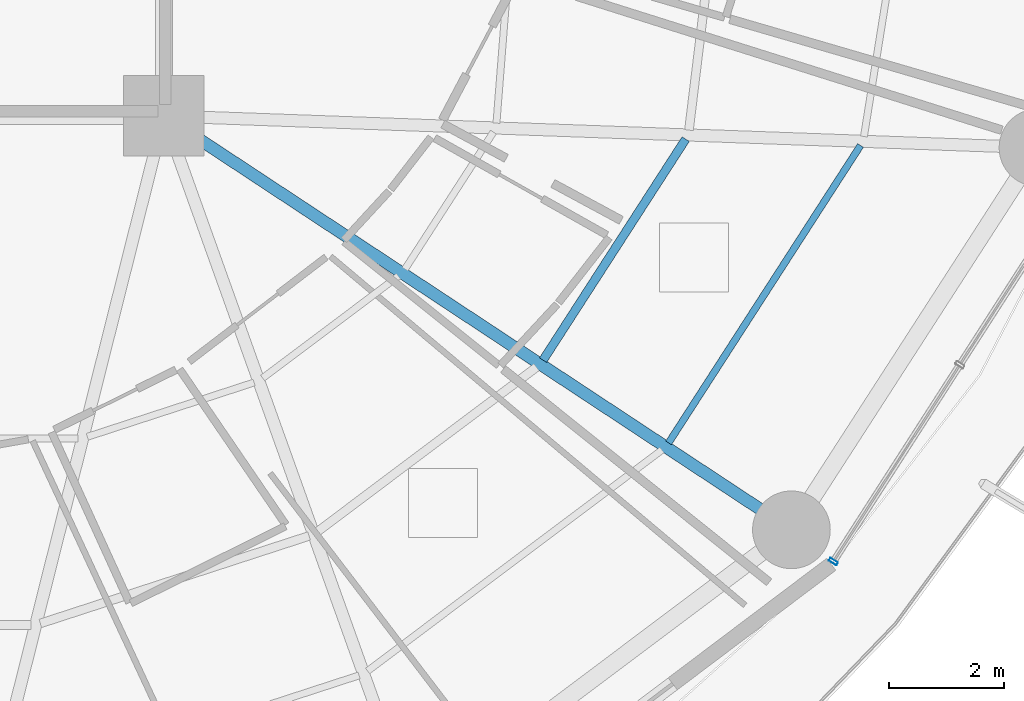
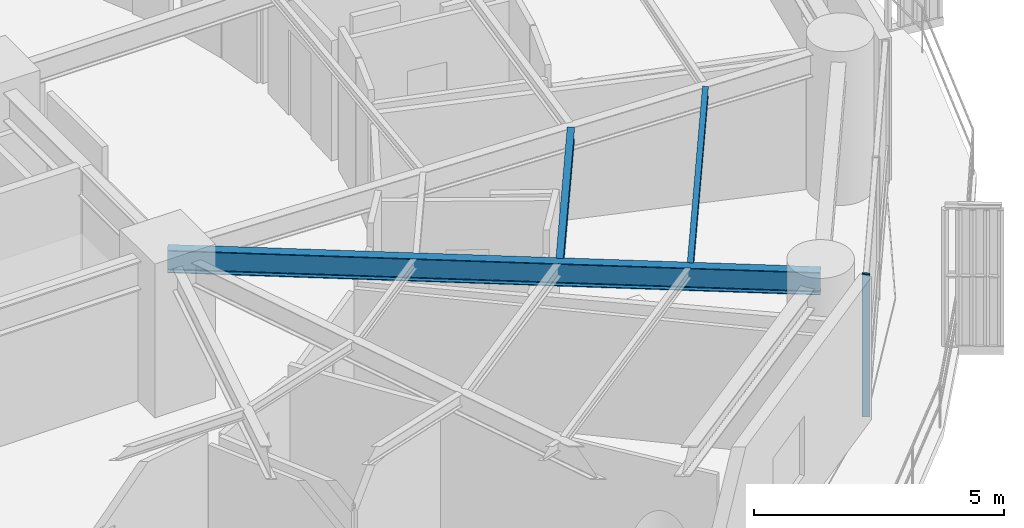
# One storey, part 12 of 36: 3 beams, 1 member, 1 element without a shape of its own.
"""IFC4 building model written with IfcOpenShell, lengths in metres."""

from ifc_helpers import new_model, si_unit, direction, frame, origin, origin_2d, place, context, subcontext, project, spatial, hollow_rectangle, i_section, extrude, material, layer, layer_set, material_profile, profile_set, type_object, element, aggregate, save


model = new_model("IFC4")

# Units and contexts
model_context = context("Model", 3, precision=1e-05, world=origin(), true_north=direction((0.0, 1.0)))
body_context = subcontext(model_context, "Body", "Model", "MODEL_VIEW")
ifc_project = project(units=[si_unit("LENGTHUNIT", "METRE"), si_unit("AREAUNIT", "SQUARE_METRE"), si_unit("VOLUMEUNIT", "CUBIC_METRE"), si_unit("PLANEANGLEUNIT", "RADIAN"), si_unit("MASSUNIT", "GRAM", prefix="KILO")], contexts=[model_context])

# Site, building, storey
site_placement = place(None, origin())
site = spatial("IfcSite", under=ifc_project, at=site_placement, CompositionType="ELEMENT")
building_placement = place(site_placement, origin())
building = spatial("IfcBuilding", under=site, at=building_placement, Name="Kelanora Arch Commons", CompositionType="ELEMENT")
storey_placement = place(building_placement, frame((0.0, 0.0, 98.85009765625)))
storey = spatial("IfcBuildingStorey", under=building, at=storey_placement, Name="L25", CompositionType="ELEMENT", Elevation=98.85009765625)

# Beams
ifc_material_1 = material(Name="Steel S355", Category="steel")
ifc_material_profile_1 = material_profile(ifc_material_1, i_section(OverallWidth=0.14990234375, OverallDepth=0.300048828125, WebThickness=0.007080078125, FlangeThickness=0.0107421875, FilletRadius=0.014892578125, at=origin_2d()), Name="IPE300")
ifc_profile_set_1 = profile_set([ifc_material_profile_1], Name="Steel S355")
beam_type_1 = type_object("IfcBeamType", Name="BM-JST-01", PredefinedType="JOIST", material=ifc_profile_set_1)
beam_1_placement = place(storey_placement, frame((88.589599609375, 46.755615234375, 3.33984375), z_axis=(0.542230243286, 0.840229946661, 0.0), x_axis=(-0.840229946661, 0.542230243286, 0.0)))
element("IfcBeam", 1, at=beam_1_placement, inside=storey, type_object=beam_type_1, Name="Secondary Chord Joist BJB-32 L25", PredefinedType="JOIST", context=body_context, shape_type="SweptSolid", body=[
    extrude(i_section(OverallWidth=0.14990234375, OverallDepth=0.300048828125, WebThickness=0.007080078125, FlangeThickness=0.0107421875, FilletRadius=0.014892578125, at=origin_2d()), origin(), (0.0, 0.0, 1.0), 4.572265625),
])
ifc_material_profile_2 = material_profile(ifc_material_1, i_section(OverallWidth=0.1201171875, OverallDepth=0.239990234375, WebThickness=0.006103515625, FlangeThickness=0.009765625, FilletRadius=0.014892578125, at=origin_2d()), Name="IPE240")
ifc_profile_set_2 = profile_set([ifc_material_profile_2], Name="Steel S355")
beam_type_2 = type_object("IfcBeamType", Name="BM-JST-02", PredefinedType="JOIST", material=ifc_profile_set_2)
beam_2_placement = place(storey_placement, frame((90.77099609375, 45.317138671875, 3.369873046875), z_axis=(0.542212726273, 0.840241250754, 0.0), x_axis=(-0.840241250754, 0.542212726273, 0.0)))
element("IfcBeam", 2, at=beam_2_placement, inside=storey, type_object=beam_type_2, Name="Secondary Chord Joist BJC-32 L25", PredefinedType="JOIST", context=body_context, shape_type="SweptSolid", body=[
    extrude(i_section(OverallWidth=0.1201171875, OverallDepth=0.239990234375, WebThickness=0.006103515625, FlangeThickness=0.009765625, FilletRadius=0.014892578125, at=origin_2d()), origin(), (0.0, 0.0, 1.0), 6.15283203125),
])
ifc_material_profile_3 = material_profile(ifc_material_1, i_section(OverallWidth=0.2099609375, OverallDepth=0.550048828125, WebThickness=0.010986328125, FlangeThickness=0.01708984375, FilletRadius=0.02392578125, at=origin_2d()), Name="IPE550")
ifc_profile_set_3 = profile_set([ifc_material_profile_3], Name="Steel S355")
beam_type_3 = type_object("IfcBeamType", Name="BM-RAD-Z2", PredefinedType="BEAM", material=ifc_profile_set_3)
beam_3_placement = place(storey_placement, frame((82.0, 51.0, 3.21484375), z_axis=(0.834788577908, -0.550570640512, 0.0), x_axis=(0.550570640512, 0.834788577908, 0.0)))
element("IfcBeam", 3, at=beam_3_placement, inside=storey, type_object=beam_type_3, Name="Radial Floor Girder BR-32 L25", PredefinedType="BEAM", context=body_context, shape_type="SweptSolid", body=[
    extrude(i_section(OverallWidth=0.2099609375, OverallDepth=0.550048828125, WebThickness=0.010986328125, FlangeThickness=0.01708984375, FilletRadius=0.02392578125, at=origin_2d()), origin(), (0.0, 0.0, 1.0), 13.064453125),
])

# Curtain wall, member
ifc_material_2 = material(Name="Terracotta ceramic-fritted low-E glass and aluminium", Category="masonry")
ifc_layer = layer(ifc_material_2, 0.159912109375)
ifc_layer_set = layer_set([ifc_layer], Name="Terracotta ceramic-fritted low-E glass and aluminium")
curtain_wall_type = type_object("IfcCurtainWallType", Name="CW-SYS-01", PredefinedType="NOTDEFINED", material=ifc_layer_set)
curtain_wall_placement = place(storey_placement, origin())
curtain_wall = element("IfcCurtainWall", 4, at=curtain_wall_placement, inside=storey, type_object=curtain_wall_type, Name="Unitised Curtain Wall L25-B16", PredefinedType="NOTDEFINED")
ifc_material_3 = material(Name="Powder-coated aluminium terracotta", Category="masonry")
ifc_material_profile_4 = material_profile(ifc_material_3, hollow_rectangle(XDim=0.159912109375, YDim=0.06005859375, WallThickness=0.0048828125, InnerFilletRadius=0.0048828125, OuterFilletRadius=0.010009765625, at=origin_2d()), Name="CWM160x60")
ifc_profile_set_4 = profile_set([ifc_material_profile_4], Name="Powder-coated aluminium terracotta")
member_type = type_object("IfcMemberType", Name="CWM-STD", PredefinedType="MULLION", material=ifc_profile_set_4)
member_placement = place(storey_placement, frame((93.635009765625, 43.253662109375, 0.0), z_axis=(0.0, 0.0, 1.0), x_axis=(-0.841268883088, 0.540616931244, 0.0)))
member = element("IfcMember", 5, at=member_placement, type_object=member_type, Name="CW-01 mullion 1", PredefinedType="MULLION", context=body_context, shape_type="SweptSolid", body=[
    extrude(hollow_rectangle(XDim=0.159912109375, YDim=0.06005859375, WallThickness=0.0048828125, InnerFilletRadius=0.0048828125, OuterFilletRadius=0.010009765625, at=origin_2d()), origin(), (0.0, 0.0, 1.0), 3.474853515625),
])
aggregate(curtain_wall, [member])

save(model, "model.ifc")
